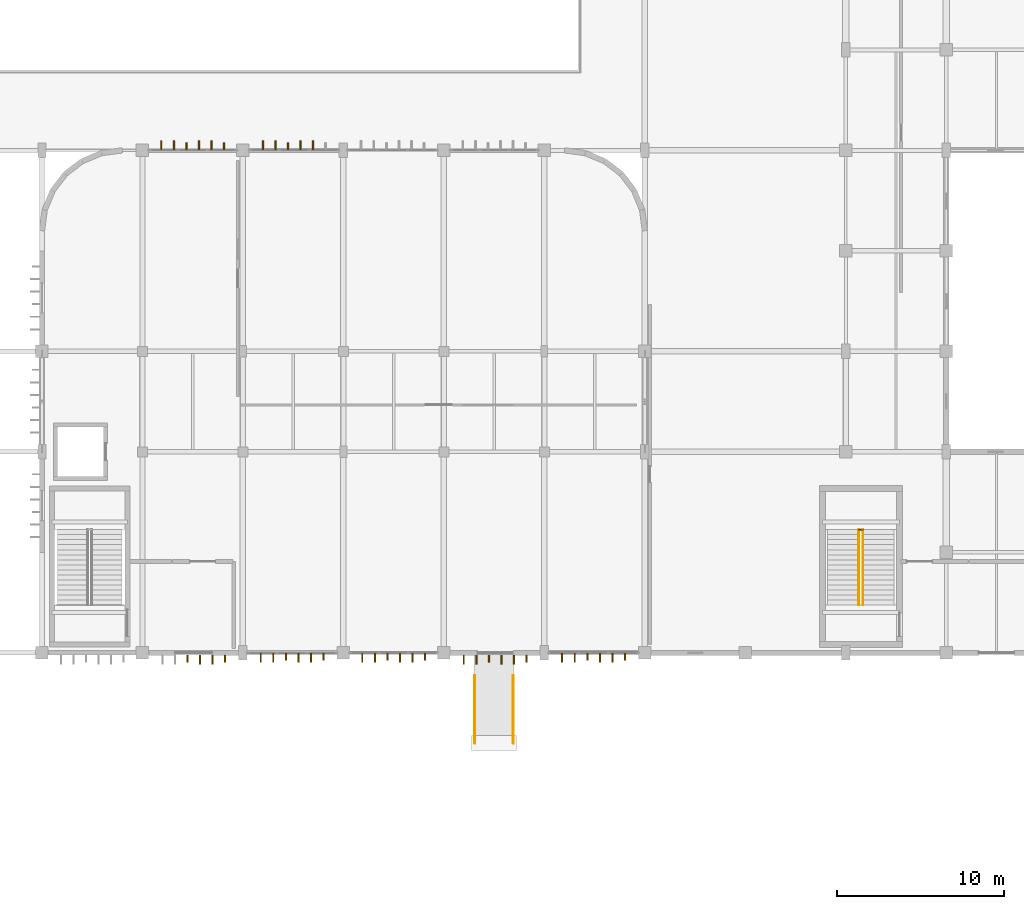
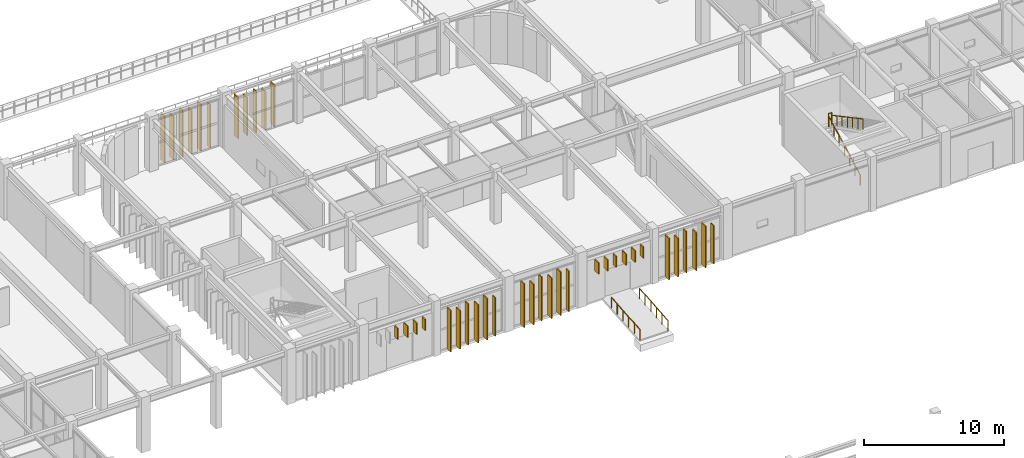
# One storey, part 71 of 76: 39 coverings, 5 railings.
"""IFC4 building model written with IfcOpenShell, lengths in metres."""

from ifc_helpers import new_model, si_unit, direction, frame, origin, origin_2d, place, context, subcontext, project, spatial, rectangle, circle, extrude, material, layer, layer_set, type_object, element, save


model = new_model("IFC4")

# Units and contexts
model_context = context("Model", 3, precision=1e-05, world=origin(), true_north=direction((0.0, 1.0)))
body_context = subcontext(model_context, "Body", "Model", "MODEL_VIEW")
ifc_project = project(units=[si_unit("LENGTHUNIT", "METRE"), si_unit("AREAUNIT", "SQUARE_METRE"), si_unit("VOLUMEUNIT", "CUBIC_METRE"), si_unit("PLANEANGLEUNIT", "RADIAN"), si_unit("MASSUNIT", "GRAM", prefix="KILO")], contexts=[model_context])

# Site, building, storey
site_placement = place(None, origin())
site = spatial("IfcSite", under=ifc_project, at=site_placement, CompositionType="ELEMENT")
building_placement = place(site_placement, origin())
building = spatial("IfcBuilding", under=site, at=building_placement, Name="Varnakota Square Police Headquarters", CompositionType="ELEMENT")
storey_placement = place(building_placement, origin())
storey = spatial("IfcBuildingStorey", under=building, at=storey_placement, Name="L00", CompositionType="ELEMENT", Elevation=0.0)

# Coverings
ifc_material_1 = material(Name="White Anodised Aluminium Vertical Facade Blade 420", Category="aluminium")
ifc_layer_1 = layer(ifc_material_1, 0.0849609375, Name="White Anodised Aluminium Vertical Facade Blade 420")
ifc_layer_set_1 = layer_set([ifc_layer_1], Name="White Anodised Aluminium Vertical Facade Blade 420")
covering_type_1 = type_object("IfcCoveringType", Name="COV-FIN-420", PredefinedType="CLADDING", material=ifc_layer_set_1)
for number, where, z_axis, x_axis, name in (
    (1, (68.6875, 68.64501953125, 2.64990234375), (0.0, 0.0, 1.0), (1.0, 0.0, 0.0), "Vertical aluminium facade fin FIN-1052"),
    (2, (70.9375, 68.64501953125, 2.64990234375), (0.0, 0.0, 1.0), (1.0, 0.0, 0.0), "Vertical aluminium facade fin FIN-1055"),
):
    element("IfcCovering", number, at=place(storey_placement, frame(where, z_axis=z_axis, x_axis=x_axis)), inside=storey, type_object=covering_type_1, Name=name, PredefinedType="CLADDING", context=body_context, shape_type="SweptSolid", body=[
        extrude(rectangle(XDim=0.0849609375, YDim=0.419921875, at=origin_2d()), origin(), (0.0, 0.0, 1.0), 0.97998046875),
    ])
covering_1_placement = place(storey_placement, frame((74.5625, 68.762451171875, 0.0400390625), z_axis=(0.0, 0.0, 1.0), x_axis=(1.0, 0.0, 0.0)))
element("IfcCovering", 3, at=covering_1_placement, inside=storey, type_object=covering_type_1, Name="Vertical aluminium facade fin FIN-1058", PredefinedType="CLADDING", context=body_context, shape_type="SweptSolid", body=[
    extrude(rectangle(XDim=0.0849609375, YDim=0.419921875, at=origin_2d()), origin(), (0.0, 0.0, 1.0), 3.610107421875),
])
covering_2_placement = place(storey_placement, frame((76.8125, 68.762451171875, 0.0400390625), z_axis=(0.0, 0.0, 1.0), x_axis=(1.0, 0.0, 0.0)))
element("IfcCovering", 4, at=covering_2_placement, inside=storey, type_object=covering_type_1, Name="Vertical aluminium facade fin FIN-1061", PredefinedType="CLADDING", context=body_context, shape_type="SweptSolid", body=[
    extrude(rectangle(XDim=0.0849609375, YDim=0.419921875, at=origin_2d()), origin(), (0.0, 0.0, 1.0), 3.330078125),
])
covering_3_placement = place(storey_placement, frame((80.625, 68.762451171875, 0.0400390625), z_axis=(0.0, 0.0, 1.0), x_axis=(1.0, 0.0, 0.0)))
element("IfcCovering", 5, at=covering_3_placement, inside=storey, type_object=covering_type_1, Name="Vertical aluminium facade fin FIN-1064", PredefinedType="CLADDING", context=body_context, shape_type="SweptSolid", body=[
    extrude(rectangle(XDim=0.0849609375, YDim=0.419921875, at=origin_2d()), origin(), (0.0, 0.0, 1.0), 3.81005859375),
])
covering_4_placement = place(storey_placement, frame((82.875, 68.762451171875, 0.0400390625), z_axis=(0.0, 0.0, 1.0), x_axis=(1.0, 0.0, 0.0)))
element("IfcCovering", 6, at=covering_4_placement, inside=storey, type_object=covering_type_1, Name="Vertical aluminium facade fin FIN-1067", PredefinedType="CLADDING", context=body_context, shape_type="SweptSolid", body=[
    extrude(rectangle(XDim=0.0849609375, YDim=0.419921875, at=origin_2d()), origin(), (0.0, 0.0, 1.0), 3.530029296875),
])
for number, where, z_axis, x_axis, name in (
    (7, (86.6875, 68.64501953125, 2.64990234375), (0.0, 0.0, 1.0), (1.0, 0.0, 0.0), "Vertical aluminium facade fin FIN-1070"),
    (8, (88.9375, 68.64501953125, 2.64990234375), (0.0, 0.0, 1.0), (1.0, 0.0, 0.0), "Vertical aluminium facade fin FIN-1073"),
):
    element("IfcCovering", number, at=place(storey_placement, frame(where, z_axis=z_axis, x_axis=x_axis)), inside=storey, type_object=covering_type_1, Name=name, PredefinedType="CLADDING", context=body_context, shape_type="SweptSolid", body=[
        extrude(rectangle(XDim=0.0849609375, YDim=0.419921875, at=origin_2d()), origin(), (0.0, 0.0, 1.0), 0.97998046875),
    ])
covering_5_placement = place(storey_placement, frame((92.5625, 68.762451171875, 0.0400390625), z_axis=(0.0, 0.0, 1.0), x_axis=(1.0, 0.0, 0.0)))
element("IfcCovering", 9, at=covering_5_placement, inside=storey, type_object=covering_type_1, Name="Vertical aluminium facade fin FIN-1076", PredefinedType="CLADDING", context=body_context, shape_type="SweptSolid", body=[
    extrude(rectangle(XDim=0.0849609375, YDim=0.419921875, at=origin_2d()), origin(), (0.0, 0.0, 1.0), 3.610107421875),
])
covering_6_placement = place(storey_placement, frame((94.8125, 68.762451171875, 0.0400390625), z_axis=(0.0, 0.0, 1.0), x_axis=(1.0, 0.0, 0.0)))
element("IfcCovering", 10, at=covering_6_placement, inside=storey, type_object=covering_type_1, Name="Vertical aluminium facade fin FIN-1079", PredefinedType="CLADDING", context=body_context, shape_type="SweptSolid", body=[
    extrude(rectangle(XDim=0.0849609375, YDim=0.419921875, at=origin_2d()), origin(), (0.0, 0.0, 1.0), 3.330078125),
])
covering_7_placement = place(storey_placement, frame((68.625, 99.242431640625, 0.0400390625), z_axis=(0.0, 0.0, 1.0), x_axis=(1.0, 0.0, 0.0)))
element("IfcCovering", 11, at=covering_7_placement, inside=storey, type_object=covering_type_1, Name="Vertical aluminium facade fin FIN-1082", PredefinedType="CLADDING", context=body_context, shape_type="SweptSolid", body=[
    extrude(rectangle(XDim=0.0849609375, YDim=0.419921875, at=origin_2d()), origin(), (0.0, 0.0, 1.0), 4.06005859375),
])
covering_8_placement = place(storey_placement, frame((70.875, 99.242431640625, 0.0400390625), z_axis=(0.0, 0.0, 1.0), x_axis=(1.0, 0.0, 0.0)))
element("IfcCovering", 12, at=covering_8_placement, inside=storey, type_object=covering_type_1, Name="Vertical aluminium facade fin FIN-1085", PredefinedType="CLADDING", context=body_context, shape_type="SweptSolid", body=[
    extrude(rectangle(XDim=0.0849609375, YDim=0.419921875, at=origin_2d()), origin(), (0.0, 0.0, 1.0), 3.780029296875),
])
covering_9_placement = place(storey_placement, frame((74.6875, 99.237548828125, 0.0400390625), z_axis=(0.0, 0.0, 1.0), x_axis=(1.0, 0.0, 0.0)))
element("IfcCovering", 13, at=covering_9_placement, inside=storey, type_object=covering_type_1, Name="Vertical aluminium facade fin FIN-1088", PredefinedType="CLADDING", context=body_context, shape_type="SweptSolid", body=[
    extrude(rectangle(XDim=0.0849609375, YDim=0.419921875, at=origin_2d()), origin(), (0.0, 0.0, 1.0), 3.610107421875),
])
ifc_material_2 = material(Name="White Anodised Aluminium Vertical Facade Blade 550", Category="aluminium")
ifc_layer_2 = layer(ifc_material_2, 0.0849609375, Name="White Anodised Aluminium Vertical Facade Blade 550")
ifc_layer_set_2 = layer_set([ifc_layer_2], Name="White Anodised Aluminium Vertical Facade Blade 550")
covering_type_2 = type_object("IfcCoveringType", Name="COV-FIN-550", PredefinedType="CLADDING", material=ifc_layer_set_2)
for number, where, z_axis, x_axis, name in (
    (14, (69.4375, 68.580078125, 2.64990234375), (0.0, 0.0, 1.0), (1.0, 0.0, 0.0), "Vertical aluminium facade fin FIN-1053"),
    (15, (70.1875, 68.580078125, 2.64990234375), (0.0, 0.0, 1.0), (1.0, 0.0, 0.0), "Vertical aluminium facade fin FIN-1054"),
):
    element("IfcCovering", number, at=place(storey_placement, frame(where, z_axis=z_axis, x_axis=x_axis)), inside=storey, type_object=covering_type_2, Name=name, PredefinedType="CLADDING", context=body_context, shape_type="SweptSolid", body=[
        extrude(rectangle(XDim=0.0849609375, YDim=0.550048828125, at=origin_2d()), origin(), (0.0, 0.0, 1.0), 0.97998046875),
    ])
covering_10_placement = place(storey_placement, frame((73.0625, 68.697509765625, 0.0400390625), z_axis=(0.0, 0.0, 1.0), x_axis=(1.0, 0.0, 0.0)))
element("IfcCovering", 16, at=covering_10_placement, inside=storey, type_object=covering_type_2, Name="Vertical aluminium facade fin FIN-1056", PredefinedType="CLADDING", context=body_context, shape_type="SweptSolid", body=[
    extrude(rectangle(XDim=0.0849609375, YDim=0.550048828125, at=origin_2d()), origin(), (0.0, 0.0, 1.0), 3.610107421875),
])
for number, where, z_axis, x_axis, name in (
    (17, (73.8125, 68.697509765625, 0.0400390625), (0.0, 0.0, 1.0), (1.0, 0.0, 0.0), "Vertical aluminium facade fin FIN-1057"),
    (18, (75.3125, 68.697509765625, 0.0400390625), (0.0, 0.0, 1.0), (1.0, 0.0, 0.0), "Vertical aluminium facade fin FIN-1059"),
):
    element("IfcCovering", number, at=place(storey_placement, frame(where, z_axis=z_axis, x_axis=x_axis)), inside=storey, type_object=covering_type_2, Name=name, PredefinedType="CLADDING", context=body_context, shape_type="SweptSolid", body=[
        extrude(rectangle(XDim=0.0849609375, YDim=0.550048828125, at=origin_2d()), origin(), (0.0, 0.0, 1.0), 3.330078125),
    ])
covering_11_placement = place(storey_placement, frame((76.0625, 68.697509765625, 0.0400390625), z_axis=(0.0, 0.0, 1.0), x_axis=(1.0, 0.0, 0.0)))
element("IfcCovering", 19, at=covering_11_placement, inside=storey, type_object=covering_type_2, Name="Vertical aluminium facade fin FIN-1060", PredefinedType="CLADDING", context=body_context, shape_type="SweptSolid", body=[
    extrude(rectangle(XDim=0.0849609375, YDim=0.550048828125, at=origin_2d()), origin(), (0.0, 0.0, 1.0), 3.610107421875),
])
covering_12_placement = place(storey_placement, frame((79.125, 68.697509765625, 0.0400390625), z_axis=(0.0, 0.0, 1.0), x_axis=(1.0, 0.0, 0.0)))
element("IfcCovering", 20, at=covering_12_placement, inside=storey, type_object=covering_type_2, Name="Vertical aluminium facade fin FIN-1062", PredefinedType="CLADDING", context=body_context, shape_type="SweptSolid", body=[
    extrude(rectangle(XDim=0.0849609375, YDim=0.550048828125, at=origin_2d()), origin(), (0.0, 0.0, 1.0), 3.81005859375),
])
for number, where, z_axis, x_axis, name in (
    (21, (79.875, 68.697509765625, 0.0400390625), (0.0, 0.0, 1.0), (1.0, 0.0, 0.0), "Vertical aluminium facade fin FIN-1063"),
    (22, (81.375, 68.697509765625, 0.0400390625), (0.0, 0.0, 1.0), (1.0, 0.0, 0.0), "Vertical aluminium facade fin FIN-1065"),
):
    element("IfcCovering", number, at=place(storey_placement, frame(where, z_axis=z_axis, x_axis=x_axis)), inside=storey, type_object=covering_type_2, Name=name, PredefinedType="CLADDING", context=body_context, shape_type="SweptSolid", body=[
        extrude(rectangle(XDim=0.0849609375, YDim=0.550048828125, at=origin_2d()), origin(), (0.0, 0.0, 1.0), 3.530029296875),
    ])
covering_13_placement = place(storey_placement, frame((82.125, 68.697509765625, 0.0400390625), z_axis=(0.0, 0.0, 1.0), x_axis=(1.0, 0.0, 0.0)))
element("IfcCovering", 23, at=covering_13_placement, inside=storey, type_object=covering_type_2, Name="Vertical aluminium facade fin FIN-1066", PredefinedType="CLADDING", context=body_context, shape_type="SweptSolid", body=[
    extrude(rectangle(XDim=0.0849609375, YDim=0.550048828125, at=origin_2d()), origin(), (0.0, 0.0, 1.0), 3.81005859375),
])
for number, where, z_axis, x_axis, name in (
    (24, (85.1875, 68.580078125, 2.64990234375), (0.0, 0.0, 1.0), (1.0, 0.0, 0.0), "Vertical aluminium facade fin FIN-1068"),
    (25, (85.9375, 68.580078125, 2.64990234375), (0.0, 0.0, 1.0), (1.0, 0.0, 0.0), "Vertical aluminium facade fin FIN-1069"),
    (26, (87.4375, 68.580078125, 2.64990234375), (0.0, 0.0, 1.0), (1.0, 0.0, 0.0), "Vertical aluminium facade fin FIN-1071"),
    (27, (88.1875, 68.580078125, 2.64990234375), (0.0, 0.0, 1.0), (1.0, 0.0, 0.0), "Vertical aluminium facade fin FIN-1072"),
):
    element("IfcCovering", number, at=place(storey_placement, frame(where, z_axis=z_axis, x_axis=x_axis)), inside=storey, type_object=covering_type_2, Name=name, PredefinedType="CLADDING", context=body_context, shape_type="SweptSolid", body=[
        extrude(rectangle(XDim=0.0849609375, YDim=0.550048828125, at=origin_2d()), origin(), (0.0, 0.0, 1.0), 0.97998046875),
    ])
covering_14_placement = place(storey_placement, frame((91.0625, 68.697509765625, 0.0400390625), z_axis=(0.0, 0.0, 1.0), x_axis=(1.0, 0.0, 0.0)))
element("IfcCovering", 28, at=covering_14_placement, inside=storey, type_object=covering_type_2, Name="Vertical aluminium facade fin FIN-1074", PredefinedType="CLADDING", context=body_context, shape_type="SweptSolid", body=[
    extrude(rectangle(XDim=0.0849609375, YDim=0.550048828125, at=origin_2d()), origin(), (0.0, 0.0, 1.0), 3.610107421875),
])
for number, where, z_axis, x_axis, name in (
    (29, (91.8125, 68.697509765625, 0.0400390625), (0.0, 0.0, 1.0), (1.0, 0.0, 0.0), "Vertical aluminium facade fin FIN-1075"),
    (30, (93.3125, 68.697509765625, 0.0400390625), (0.0, 0.0, 1.0), (1.0, 0.0, 0.0), "Vertical aluminium facade fin FIN-1077"),
):
    element("IfcCovering", number, at=place(storey_placement, frame(where, z_axis=z_axis, x_axis=x_axis)), inside=storey, type_object=covering_type_2, Name=name, PredefinedType="CLADDING", context=body_context, shape_type="SweptSolid", body=[
        extrude(rectangle(XDim=0.0849609375, YDim=0.550048828125, at=origin_2d()), origin(), (0.0, 0.0, 1.0), 3.330078125),
    ])
covering_15_placement = place(storey_placement, frame((94.0625, 68.697509765625, 0.0400390625), z_axis=(0.0, 0.0, 1.0), x_axis=(1.0, 0.0, 0.0)))
element("IfcCovering", 31, at=covering_15_placement, inside=storey, type_object=covering_type_2, Name="Vertical aluminium facade fin FIN-1078", PredefinedType="CLADDING", context=body_context, shape_type="SweptSolid", body=[
    extrude(rectangle(XDim=0.0849609375, YDim=0.550048828125, at=origin_2d()), origin(), (0.0, 0.0, 1.0), 3.610107421875),
])
covering_16_placement = place(storey_placement, frame((67.125, 99.3076171875, 0.0400390625), z_axis=(0.0, 0.0, 1.0), x_axis=(1.0, 0.0, 0.0)))
element("IfcCovering", 32, at=covering_16_placement, inside=storey, type_object=covering_type_2, Name="Vertical aluminium facade fin FIN-1080", PredefinedType="CLADDING", context=body_context, shape_type="SweptSolid", body=[
    extrude(rectangle(XDim=0.0849609375, YDim=0.550048828125, at=origin_2d()), origin(), (0.0, 0.0, 1.0), 4.06005859375),
])
for number, where, z_axis, x_axis, name in (
    (33, (67.875, 99.3076171875, 0.0400390625), (0.0, 0.0, 1.0), (1.0, 0.0, 0.0), "Vertical aluminium facade fin FIN-1081"),
    (34, (69.375, 99.3076171875, 0.0400390625), (0.0, 0.0, 1.0), (1.0, 0.0, 0.0), "Vertical aluminium facade fin FIN-1083"),
):
    element("IfcCovering", number, at=place(storey_placement, frame(where, z_axis=z_axis, x_axis=x_axis)), inside=storey, type_object=covering_type_2, Name=name, PredefinedType="CLADDING", context=body_context, shape_type="SweptSolid", body=[
        extrude(rectangle(XDim=0.0849609375, YDim=0.550048828125, at=origin_2d()), origin(), (0.0, 0.0, 1.0), 3.780029296875),
    ])
covering_17_placement = place(storey_placement, frame((70.125, 99.3076171875, 0.0400390625), z_axis=(0.0, 0.0, 1.0), x_axis=(1.0, 0.0, 0.0)))
element("IfcCovering", 35, at=covering_17_placement, inside=storey, type_object=covering_type_2, Name="Vertical aluminium facade fin FIN-1084", PredefinedType="CLADDING", context=body_context, shape_type="SweptSolid", body=[
    extrude(rectangle(XDim=0.0849609375, YDim=0.550048828125, at=origin_2d()), origin(), (0.0, 0.0, 1.0), 4.06005859375),
])
covering_18_placement = place(storey_placement, frame((73.1875, 99.302490234375, 0.0400390625), z_axis=(0.0, 0.0, 1.0), x_axis=(1.0, 0.0, 0.0)))
element("IfcCovering", 36, at=covering_18_placement, inside=storey, type_object=covering_type_2, Name="Vertical aluminium facade fin FIN-1086", PredefinedType="CLADDING", context=body_context, shape_type="SweptSolid", body=[
    extrude(rectangle(XDim=0.0849609375, YDim=0.550048828125, at=origin_2d()), origin(), (0.0, 0.0, 1.0), 3.610107421875),
])
for number, where, z_axis, x_axis, name in (
    (37, (73.9375, 99.302490234375, 0.0400390625), (0.0, 0.0, 1.0), (1.0, 0.0, 0.0), "Vertical aluminium facade fin FIN-1087"),
    (38, (75.4375, 99.302490234375, 0.0400390625), (0.0, 0.0, 1.0), (1.0, 0.0, 0.0), "Vertical aluminium facade fin FIN-1089"),
):
    element("IfcCovering", number, at=place(storey_placement, frame(where, z_axis=z_axis, x_axis=x_axis)), inside=storey, type_object=covering_type_2, Name=name, PredefinedType="CLADDING", context=body_context, shape_type="SweptSolid", body=[
        extrude(rectangle(XDim=0.0849609375, YDim=0.550048828125, at=origin_2d()), origin(), (0.0, 0.0, 1.0), 3.330078125),
    ])
covering_19_placement = place(storey_placement, frame((76.1875, 99.302490234375, 0.0400390625), z_axis=(0.0, 0.0, 1.0), x_axis=(1.0, 0.0, 0.0)))
element("IfcCovering", 39, at=covering_19_placement, inside=storey, type_object=covering_type_2, Name="Vertical aluminium facade fin FIN-1090", PredefinedType="CLADDING", context=body_context, shape_type="SweptSolid", body=[
    extrude(rectangle(XDim=0.0849609375, YDim=0.550048828125, at=origin_2d()), origin(), (0.0, 0.0, 1.0), 3.610107421875),
])

# Railings
ifc_material_3 = material(Name="Brushed Stainless Steel Tubular Handrail", Category="steel")
railing_type_1 = type_object("IfcRailingType", Name="RL-HND-920", PredefinedType="HANDRAIL", material=ifc_material_3)
railing_1_placement = place(storey_placement, frame((108.780029296875, 71.85009765625, 0.0)))
element("IfcRailing", 40, at=railing_1_placement, inside=storey, type_object=railing_type_1, Name="Stair flight handrail HR-L00-091", PredefinedType="HANDRAIL", context=body_context, shape_type="SweptSolid", body=[
    extrude(circle(Radius=0.02392578125, at=origin_2d()), frame((0.0, 0.0, 0.89599609375), z_axis=(0.0, 0.882392687573, 0.470513703219), x_axis=(-1.0, 0.0, 0.0)), (0.0, 0.0, 1.0), 5.1005859375),
    extrude(circle(Radius=0.02099609375, at=origin_2d()), origin(), (0.0, 0.0, 1.0), 0.871826171875),
    extrude(circle(Radius=0.02099609375, at=origin_2d()), frame((0.0, 0.75, 0.39990234375)), (0.0, 0.0, 1.0), 0.871826171875),
    extrude(circle(Radius=0.02099609375, at=origin_2d()), frame((0.0, 1.500244140625, 0.800048828125)), (0.0, 0.0, 1.0), 0.871826171875),
    extrude(circle(Radius=0.02099609375, at=origin_2d()), frame((0.0, 2.25048828125, 1.199951171875)), (0.0, 0.0, 1.0), 0.871826171875),
    extrude(circle(Radius=0.02099609375, at=origin_2d()), frame((0.0, 3.00048828125, 1.599853515625)), (0.0, 0.0, 1.0), 0.871826171875),
    extrude(circle(Radius=0.02099609375, at=origin_2d()), frame((0.0, 3.75048828125, 2.0)), (0.0, 0.0, 1.0), 0.871826171875),
    extrude(circle(Radius=0.02099609375, at=origin_2d()), frame((0.0, 4.500732421875, 2.39990234375)), (0.0, 0.0, 1.0), 0.871826171875),
])
railing_2_placement = place(storey_placement, frame((109.02001953125, 76.350830078125, 2.39990234375)))
element("IfcRailing", 41, at=railing_2_placement, inside=storey, type_object=railing_type_1, Name="Stair flight handrail HR-L00-092", PredefinedType="HANDRAIL", context=body_context, shape_type="SweptSolid", body=[
    extrude(circle(Radius=0.02392578125, at=origin_2d()), frame((0.0, 0.0, 0.89599609375), z_axis=(0.0, -0.882372814714, 0.470550970516), x_axis=(1.0, 0.0, 0.0)), (0.0, 0.0, 1.0), 5.100830078125),
    extrude(circle(Radius=0.02099609375, at=origin_2d()), origin(), (0.0, 0.0, 1.0), 0.871826171875),
    extrude(circle(Radius=0.02099609375, at=origin_2d()), frame((0.0, -0.75, 0.39990234375)), (0.0, 0.0, 1.0), 0.871826171875),
    extrude(circle(Radius=0.02099609375, at=origin_2d()), frame((0.0, -1.500244140625, 0.800048828125)), (0.0, 0.0, 1.0), 0.871826171875),
    extrude(circle(Radius=0.02099609375, at=origin_2d()), frame((0.0, -2.25048828125, 1.2001953125)), (0.0, 0.0, 1.0), 0.871826171875),
    extrude(circle(Radius=0.02099609375, at=origin_2d()), frame((0.0, -3.00048828125, 1.60009765625)), (0.0, 0.0, 1.0), 0.871826171875),
    extrude(circle(Radius=0.02099609375, at=origin_2d()), frame((0.0, -3.75048828125, 2.0)), (0.0, 0.0, 1.0), 0.871826171875),
    extrude(circle(Radius=0.02099609375, at=origin_2d()), frame((0.0, -4.500732421875, 2.400146484375)), (0.0, 0.0, 1.0), 0.871826171875),
])
for number, where, name in (
    (42, (85.85009765625, 63.60009765625, -0.449951171875), "Accessible ramp handrail RMP-A5-L"),
    (43, (88.14990234375, 63.60009765625, -0.449951171875), "Accessible ramp handrail RMP-A5-R"),
):
    element("IfcRailing", number, at=place(storey_placement, frame(where)), inside=storey, type_object=railing_type_1, Name=name, PredefinedType="HANDRAIL", context=body_context, shape_type="SweptSolid", body=[
        extrude(circle(Radius=0.02392578125, at=origin_2d()), frame((0.0, 0.0, 0.89599609375), z_axis=(0.0, 0.996547415327, 0.083025592475), x_axis=(-1.0, 0.0, 0.0)), (0.0, 0.0, 1.0), 4.063720703125),
        extrude(circle(Radius=0.02099609375, at=origin_2d()), origin(), (0.0, 0.0, 1.0), 0.871826171875),
        extrude(circle(Radius=0.02099609375, at=origin_2d()), frame((0.0, 0.81005859375, 0.0673828125)), (0.0, 0.0, 1.0), 0.871826171875),
        extrude(circle(Radius=0.02099609375, at=origin_2d()), frame((0.0, 1.619873046875, 0.135009765625)), (0.0, 0.0, 1.0), 0.871826171875),
        extrude(circle(Radius=0.02099609375, at=origin_2d()), frame((0.0, 2.429931640625, 0.202392578125)), (0.0, 0.0, 1.0), 0.871826171875),
        extrude(circle(Radius=0.02099609375, at=origin_2d()), frame((0.0, 3.23974609375, 0.27001953125)), (0.0, 0.0, 1.0), 0.871826171875),
        extrude(circle(Radius=0.02099609375, at=origin_2d()), frame((0.0, 4.0498046875, 0.33740234375)), (0.0, 0.0, 1.0), 0.871826171875),
    ])
ifc_material_4 = material(Name="Laminated Glass and Stainless Steel Balustrade", Category="steel")
railing_type_2 = type_object("IfcRailingType", Name="RL-INT-1150", PredefinedType="BALUSTRADE", material=ifc_material_4)
railing_3_placement = place(storey_placement, frame((108.77001953125, 76.350830078125, 2.39990234375)))
element("IfcRailing", 44, at=railing_3_placement, inside=storey, type_object=railing_type_2, Name="Half-landing well guard C9 L00", PredefinedType="BALUSTRADE", context=body_context, shape_type="SweptSolid", body=[
    extrude(circle(Radius=0.02392578125, at=origin_2d()), frame((0.0, 0.0, 1.1259765625), z_axis=(1.0, 0.0, 0.0), x_axis=(0.0, 1.0, 0.0)), (0.0, 0.0, 1.0), 0.259765625),
    extrude(circle(Radius=0.01806640625, at=origin_2d()), frame((0.0, 0.0, 0.63232421875), z_axis=(1.0, 0.0, 0.0), x_axis=(0.0, 1.0, 0.0)), (0.0, 0.0, 1.0), 0.259765625),
    extrude(circle(Radius=0.02099609375, at=origin_2d()), origin(), (0.0, 0.0, 1.0), 1.101806640625),
    extrude(circle(Radius=0.02099609375, at=origin_2d()), frame((0.259765625, 0.0, 0.0)), (0.0, 0.0, 1.0), 1.101806640625),
])

save(model, "model.ifc")
